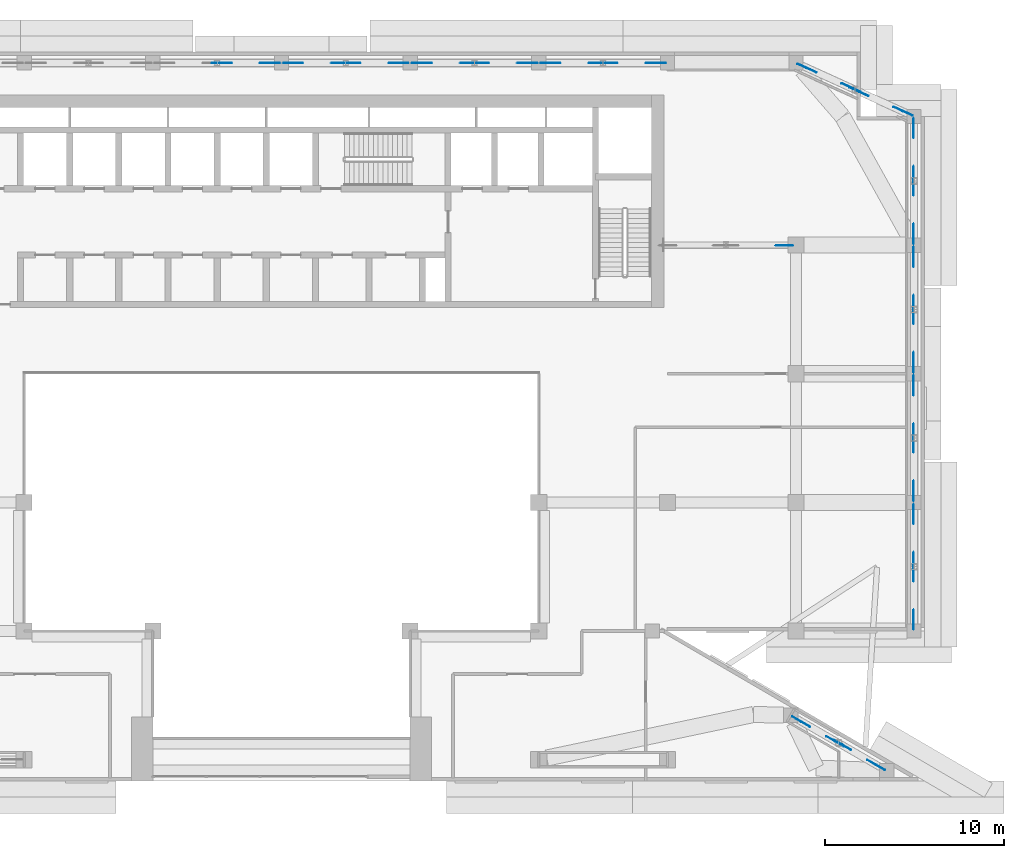
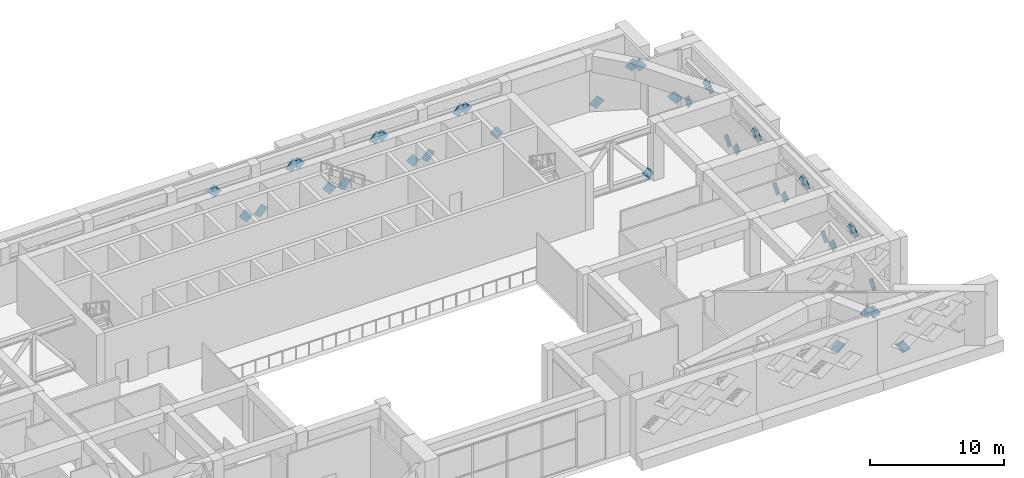
# One storey, part 12 of 20: 39 discrete accessories.
"""IFC4 building model written with IfcOpenShell, lengths in metres."""

import ifcopenshell
import ifcopenshell.guid

model = None  # the IFC model being written
_history = None  # IfcOwnerHistory: only IFC2X3 demands one
_inside = {}  # id of a spatial element -> (the spatial element, [elements in it])
_under = {}  # id of a project, library or spatial element -> (it, [spatial elements below it])
_declared = {}  # id of a project -> (the project, [libraries it declares])
_typed = {}  # id of a type object -> (the type object, [elements of that type])
_made_of = {}  # id of a material, layer set ... -> (it, [elements and type objects made of it])


def new_model(schema):
    """Start an empty IFC model of exactly this schema.

    Asked for "IFC4X3", IfcOpenShell would pick the latest addendum, in which some entities
    have other attributes; the version numbers below select the first issue.
    IFC2X3 requires an IfcOwnerHistory on every rooted entity: one is made here for all.
    """
    global model, _history
    if schema == "IFC4X3":
        model = ifcopenshell.file(schema_version=(4, 3, 0, 0))
    else:
        model = ifcopenshell.file(schema=schema)
    _inside.clear()
    _under.clear()
    _declared.clear()
    _typed.clear()
    _made_of.clear()
    _history = None
    if model.schema == "IFC2X3":
        org = make("IfcOrganization", Name="unknown")
        user = make(
            "IfcPersonAndOrganization",
            ThePerson=make("IfcPerson", FamilyName="unknown"),
            TheOrganization=org,
        )
        app = make(
            "IfcApplication",
            ApplicationDeveloper=org,
            Version="unknown",
            ApplicationFullName="unknown",
            ApplicationIdentifier="unknown",
        )
        _history = make(
            "IfcOwnerHistory",
            OwningUser=user,
            OwningApplication=app,
            ChangeAction="ADDED",
            CreationDate=0,
        )
    return model


def make(cls, **values):
    """One entity of the class cls with the attributes given. An attribute that is None is left unset."""
    return model.create_entity(
        cls, **{name: value for name, value in values.items() if value is not None}
    )


def rooted(cls, **values):
    """An entity with a GlobalId (a new one), such as an element, a storey or a relation."""
    return make(cls, GlobalId=ifcopenshell.guid.new(), OwnerHistory=_history, **values)


def si_unit(unit_type, name, prefix=None):
    """IfcSIUnit, for example si_unit("LENGTHUNIT", "METRE", prefix="MILLI")."""
    return make("IfcSIUnit", UnitType=unit_type, Prefix=prefix, Name=name)


def assignment(units):
    """IfcUnitAssignment: the units of a project."""
    return None if units is None else make("IfcUnitAssignment", Units=units)


def point(xyz):
    """IfcCartesianPoint."""
    return None if xyz is None else make("IfcCartesianPoint", Coordinates=xyz)


def direction(xyz):
    """IfcDirection."""
    return None if xyz is None else make("IfcDirection", DirectionRatios=xyz)


def frame(location, z_axis=None, x_axis=None):
    """IfcAxis2Placement3D, a coordinate frame: its origin and axes. An axis left out is left unset."""
    return make(
        "IfcAxis2Placement3D",
        Location=point(location),
        Axis=direction(z_axis),
        RefDirection=direction(x_axis),
    )


def origin():
    """The frame at (0, 0, 0) with its axes left unset."""
    return frame((0.0, 0.0, 0.0))


def place(relative_to, where):
    """IfcLocalPlacement: puts the frame where relative to a parent placement (None: the world)."""
    return make(
        "IfcLocalPlacement", PlacementRelTo=relative_to, RelativePlacement=where
    )


def context(
    kind, dimensions, precision=None, world=None, true_north=None, identifier=None
):
    """IfcGeometricRepresentationContext, for example the 3D "Model" context."""
    return make(
        "IfcGeometricRepresentationContext",
        ContextIdentifier=identifier,
        ContextType=kind,
        CoordinateSpaceDimension=dimensions,
        Precision=precision,
        WorldCoordinateSystem=world,
        TrueNorth=true_north,
    )


def subcontext(parent, identifier, kind, view, scale=None):
    """IfcGeometricRepresentationSubContext, for example "Body" below "Model"."""
    return make(
        "IfcGeometricRepresentationSubContext",
        ContextIdentifier=identifier,
        ContextType=kind,
        ParentContext=parent,
        TargetScale=scale,
        TargetView=view,
    )


def project(units=None, contexts=None):
    """IfcProject with its units and contexts."""
    return rooted(
        "IfcProject",
        Name="project",
        RepresentationContexts=contexts,
        UnitsInContext=assignment(units),
    )


def spatial(cls, under=None, at=None, **own):
    """A site, building, storey or space (cls), placed at a placement, below another one or the project."""
    s = rooted(cls, ObjectPlacement=at, **own)
    if under is not None:
        _under.setdefault(under.id(), (under, []))[1].append(s)
    return s


def polyline(points):
    """IfcPolyline through the points."""
    return make("IfcPolyline", Points=[point(p) for p in points])


def outline(outer, holes=None, kind="AREA"):
    """IfcArbitraryClosedProfileDef: a profile drawn as a closed curve; with holes, ...WithVoids."""
    if holes is None:
        return make("IfcArbitraryClosedProfileDef", ProfileType=kind, OuterCurve=outer)
    return make(
        "IfcArbitraryProfileDefWithVoids",
        ProfileType=kind,
        OuterCurve=outer,
        InnerCurves=holes,
    )


def extrude(swept, where, along, depth):
    """IfcExtrudedAreaSolid: the profile swept, set in the frame where, extruded along a direction by depth."""
    return make(
        "IfcExtrudedAreaSolid",
        SweptArea=swept,
        Position=where,
        ExtrudedDirection=direction(along),
        Depth=depth,
    )


def shape(context_of_items, identifier, shape_type, items):
    """IfcShapeRepresentation: the items that make up one representation, for example the "Body"."""
    return make(
        "IfcShapeRepresentation",
        ContextOfItems=context_of_items,
        RepresentationIdentifier=identifier,
        RepresentationType=shape_type,
        Items=items,
    )


def made_of(thing, what):
    """Note that an element or type object is made of a material, layer set ...; save() writes the relation."""
    if what is not None:
        _made_of.setdefault(what.id(), (what, []))[1].append(thing)
    return thing


def element(
    cls,
    number,
    at=None,
    inside=None,
    cuts=None,
    type_object=None,
    material=None,
    context=None,
    identifier="Body",
    shape_type=None,
    held_by="IfcProductDefinitionShape",
    body=None,
    shapes=None,
    **own,
):
    """One element of the class cls, such as IfcWall. Its Tag is "e" and its number.

    at: its placement. inside: the storey or other place that contains it. cuts: it is an
    opening in that element (IfcRelVoidsElement). A single representation is given by context,
    identifier, shape_type and body (its items); several are given by shapes. held_by: the class
    of the entity that holds the representations. save() writes the other relations.
    """
    e = rooted(cls, Tag="e%d" % number, ObjectPlacement=at, **own)
    if body is not None:
        shapes = [shape(context, identifier, shape_type, body)]
    if shapes is not None:
        e.Representation = make(held_by, Representations=shapes)
    if inside is not None:
        _inside.setdefault(inside.id(), (inside, []))[1].append(e)
    if cuts is not None:
        rooted(
            "IfcRelVoidsElement", RelatingBuildingElement=cuts, RelatedOpeningElement=e
        )
    if type_object is not None:
        _typed.setdefault(type_object.id(), (type_object, []))[1].append(e)
    return made_of(e, material)


def aggregate(whole, parts):
    """IfcRelAggregates: a whole, such as a stair, and the parts it consists of."""
    return rooted("IfcRelAggregates", RelatingObject=whole, RelatedObjects=parts)


def save(model, path):
    """Write the relations noted so far, then the file.

    IfcRelAggregates (storeys below a building ...), IfcRelContainedInSpatialStructure (elements
    in a storey), IfcRelDefinesByType, IfcRelAssociatesMaterial and IfcRelDeclares: one each for
    every whole, place, type object, material and project.
    """
    for whole, parts in _under.values():
        aggregate(whole, parts)
    for where, things in _inside.values():
        rooted(
            "IfcRelContainedInSpatialStructure",
            RelatedElements=things,
            RelatingStructure=where,
        )
    for kind, things in _typed.values():
        rooted("IfcRelDefinesByType", RelatedObjects=things, RelatingType=kind)
    for what, things in _made_of.values():
        rooted("IfcRelAssociatesMaterial", RelatedObjects=things, RelatingMaterial=what)
    for by, libraries in _declared.values():
        rooted("IfcRelDeclares", RelatingContext=by, RelatedDefinitions=libraries)
    model.write(path)


model = new_model("IFC4")

# Units and contexts
model_context = context("Model", 3, precision=1e-05, world=origin(), true_north=direction((0.0, 1.0)))
body_context = subcontext(model_context, "Body", "Model", "MODEL_VIEW")
ifc_project = project(units=[si_unit("LENGTHUNIT", "METRE"), si_unit("AREAUNIT", "SQUARE_METRE"), si_unit("VOLUMEUNIT", "CUBIC_METRE"), si_unit("PLANEANGLEUNIT", "RADIAN"), si_unit("MASSUNIT", "GRAM", prefix="KILO")], contexts=[model_context])

# Site, building, storey
site_placement = place(None, origin())
site = spatial("IfcSite", under=ifc_project, at=site_placement, CompositionType="ELEMENT")
building_placement = place(site_placement, origin())
building = spatial("IfcBuilding", under=site, at=building_placement, Name="Saffron Iwan Residences", CompositionType="ELEMENT")
storey_placement = place(building_placement, frame((0.0, 0.0, 206.0)))
storey = spatial("IfcBuildingStorey", under=building, at=storey_placement, Name="L55", CompositionType="ELEMENT", Elevation=206.0)

# Discrete accessories
discrete_accessory_1_placement = place(storey_placement, frame((47.013427734375, 79.800048828125, 4.36328125), z_axis=(0.0, 1.0, 0.0), x_axis=(0.644527288822, 0.0, -0.764581306313)))
element("IfcDiscreteAccessory", 1, at=discrete_accessory_1_placement, inside=storey, Name="Gusset plate L55", PredefinedType="BRACKET", context=body_context, shape_type="SweptSolid", body=[
    extrude(outline(polyline([(0.0, 0.0), (0.9598543839484248, 5.551115123125783e-17), (0.9598690389798568, 0.7200627982878732), (-0.0001720103265546169, 0.7199054429927506), (0.0, 0.0)])), origin(), (0.0, 0.0, -1.0), 0.030029296875),
])
discrete_accessory_2_placement = place(storey_placement, frame((49.78662109375, 79.800048828125, -0.04345703125), z_axis=(0.0, 1.0, 0.0), x_axis=(-0.644401961653, 0.0, 0.764686937131)))
element("IfcDiscreteAccessory", 2, at=discrete_accessory_2_placement, inside=storey, Name="Gusset plate L55", PredefinedType="BRACKET", context=body_context, shape_type="SweptSolid", body=[
    extrude(outline(polyline([(0.0, 0.0), (0.960041062202052, -5.551115123125783e-17), (0.9599870478030891, 0.7199054615160142), (0.00013267674779748884, 0.7200627862136835), (0.0, 0.0)])), origin(), (0.0, 0.0, -1.0), 0.030029296875),
])
discrete_accessory_3_placement = place(storey_placement, frame((50.462890625, 79.800048828125, 0.420654296875), z_axis=(0.0, 1.0, 0.0), x_axis=(0.644527288822, 0.0, 0.764581306313)))
element("IfcDiscreteAccessory", 3, at=discrete_accessory_3_placement, inside=storey, Name="Gusset plate L55", PredefinedType="BRACKET", context=body_context, shape_type="SweptSolid", body=[
    extrude(outline(polyline([(0.0, 0.0), (0.9598543839484248, -5.551115123125783e-17), (0.9600263942749794, 0.7199054429927506), (-1.4655031432053711e-05, 0.7200627982878731), (0.0, 0.0)])), origin(), (0.0, 0.0, -1.0), 0.030029296875),
])
discrete_accessory_4_placement = place(storey_placement, frame((54.337158203125, 79.800048828125, 3.8994140625), z_axis=(0.0, 1.0, 0.0), x_axis=(-0.644401961653, 0.0, -0.764686937131)))
element("IfcDiscreteAccessory", 4, at=discrete_accessory_4_placement, inside=storey, Name="Gusset plate L55", PredefinedType="BRACKET", context=body_context, shape_type="SweptSolid", body=[
    extrude(outline(polyline([(0.0, 0.0), (0.960041062202052, 5.551115123125783e-17), (0.9599083854542545, 0.7200627862136834), (5.401439896290938e-05, 0.7199054615160143), (0.0, 0.0)])), origin(), (0.0, 0.0, -1.0), 0.030029296875),
])
discrete_accessory_5_placement = place(storey_placement, frame((54.21337890625, 79.800048828125, 4.36328125), z_axis=(0.0, 1.0, 0.0), x_axis=(0.644527288822, 0.0, -0.764581306313)))
element("IfcDiscreteAccessory", 5, at=discrete_accessory_5_placement, inside=storey, Name="Gusset plate L55", PredefinedType="BRACKET", context=body_context, shape_type="SweptSolid", body=[
    extrude(outline(polyline([(0.0, 0.0), (0.9598543839484248, 5.551115123125783e-17), (0.9598690389798568, 0.7200627982878732), (-0.0001720103265546169, 0.7199054429927506), (0.0, 0.0)])), origin(), (0.0, 0.0, -1.0), 0.030029296875),
])
discrete_accessory_6_placement = place(storey_placement, frame((56.986572265625, 79.800048828125, -0.04345703125), z_axis=(0.0, 1.0, 0.0), x_axis=(-0.644401961653, 0.0, 0.764686937131)))
element("IfcDiscreteAccessory", 6, at=discrete_accessory_6_placement, inside=storey, Name="Gusset plate L55", PredefinedType="BRACKET", context=body_context, shape_type="SweptSolid", body=[
    extrude(outline(polyline([(0.0, 0.0), (0.960041062202052, -5.551115123125783e-17), (0.9599870478030891, 0.7199054615160142), (0.00013267674779748884, 0.7200627862136835), (0.0, 0.0)])), origin(), (0.0, 0.0, -1.0), 0.030029296875),
])
discrete_accessory_7_placement = place(storey_placement, frame((57.662841796875, 79.800048828125, 0.420654296875), z_axis=(0.0, 1.0, 0.0), x_axis=(0.644527288822, 0.0, 0.764581306313)))
element("IfcDiscreteAccessory", 7, at=discrete_accessory_7_placement, inside=storey, Name="Gusset plate L55", PredefinedType="BRACKET", context=body_context, shape_type="SweptSolid", body=[
    extrude(outline(polyline([(0.0, 0.0), (0.9598543839484248, -5.551115123125783e-17), (0.9600263942749794, 0.7199054429927506), (-1.4655031432053711e-05, 0.7200627982878731), (0.0, 0.0)])), origin(), (0.0, 0.0, -1.0), 0.030029296875),
])
discrete_accessory_8_placement = place(storey_placement, frame((61.537109375, 79.800048828125, 3.8994140625), z_axis=(0.0, 1.0, 0.0), x_axis=(-0.644401961653, 0.0, -0.764686937131)))
element("IfcDiscreteAccessory", 8, at=discrete_accessory_8_placement, inside=storey, Name="Gusset plate L55", PredefinedType="BRACKET", context=body_context, shape_type="SweptSolid", body=[
    extrude(outline(polyline([(0.0, 0.0), (0.960041062202052, 5.551115123125783e-17), (0.9599083854542545, 0.7200627862136834), (5.401439896290938e-05, 0.7199054615160143), (0.0, 0.0)])), origin(), (0.0, 0.0, -1.0), 0.030029296875),
])
discrete_accessory_9_placement = place(storey_placement, frame((61.413330078125, 79.800048828125, 4.36328125), z_axis=(0.0, 1.0, 0.0), x_axis=(0.644527288822, 0.0, -0.764581306313)))
element("IfcDiscreteAccessory", 9, at=discrete_accessory_9_placement, inside=storey, Name="Gusset plate L55", PredefinedType="BRACKET", context=body_context, shape_type="SweptSolid", body=[
    extrude(outline(polyline([(0.0, 0.0), (0.9598543839484248, 5.551115123125783e-17), (0.9600263942749793, 0.7198761329298865), (-0.0001720103265546169, 0.7199054429927506), (0.0, 0.0)])), origin(), (0.0, 0.0, -1.0), 0.030029296875),
])
discrete_accessory_10_placement = place(storey_placement, frame((64.1865234375, 79.800048828125, -0.04345703125), z_axis=(0.0, 1.0, 0.0), x_axis=(-0.644401961653, 0.0, 0.764686937131)))
element("IfcDiscreteAccessory", 10, at=discrete_accessory_10_placement, inside=storey, Name="Gusset plate L55", PredefinedType="BRACKET", context=body_context, shape_type="SweptSolid", body=[
    extrude(outline(polyline([(0.0, 0.0), (0.960041062202052, -5.551115123125783e-17), (0.9599870478030891, 0.7199054615160142), (0.00013267674779748884, 0.7200627862136835), (0.0, 0.0)])), origin(), (0.0, 0.0, -1.0), 0.030029296875),
])
discrete_accessory_11_placement = place(storey_placement, frame((64.86279296875, 79.800048828125, 0.420654296875), z_axis=(0.0, 1.0, 0.0), x_axis=(0.644675942362, 0.0, 0.764455969523)))
element("IfcDiscreteAccessory", 11, at=discrete_accessory_11_placement, inside=storey, Name="Gusset plate L55", PredefinedType="BRACKET", context=body_context, shape_type="SweptSolid", body=[
    extrude(outline(polyline([(0.0, 0.0), (0.9600117573912188, 0.0), (0.9601663550452038, 0.7197187611799585), (0.00012535448329148435, 0.7200627875256336), (0.0, 0.0)])), origin(), (0.0, 0.0, -1.0), 0.030029296875),
])
discrete_accessory_12_placement = place(storey_placement, frame((68.737060546875, 79.800048828125, 3.8994140625), z_axis=(0.0, 1.0, 0.0), x_axis=(-0.644401961653, 0.0, -0.764686937131)))
element("IfcDiscreteAccessory", 12, at=discrete_accessory_12_placement, inside=storey, Name="Gusset plate L55", PredefinedType="BRACKET", context=body_context, shape_type="SweptSolid", body=[
    extrude(outline(polyline([(0.0, 0.0), (0.960041062202052, 5.551115123125783e-17), (0.9599083854542545, 0.7200627862136834), (5.401439896290938e-05, 0.7199054615160143), (0.0, 0.0)])), origin(), (0.0, 0.0, -1.0), 0.030029296875),
])
discrete_accessory_13_placement = place(storey_placement, frame((68.61328125, 79.800048828125, 4.36328125), z_axis=(0.0, 1.0, 0.0), x_axis=(0.644675942362, 0.0, -0.764455969523)))
element("IfcDiscreteAccessory", 13, at=discrete_accessory_13_placement, inside=storey, Name="Gusset plate L55", PredefinedType="BRACKET", context=body_context, shape_type="SweptSolid", body=[
    extrude(outline(polyline([(0.0, 0.0), (0.9600117573912188, 0.0), (0.9598864029079274, 0.7200627875256335), (-0.00015459765398501135, 0.7197187611799585), (0.0, 0.0)])), origin(), (0.0, 0.0, -1.0), 0.030029296875),
])
discrete_accessory_14_placement = place(storey_placement, frame((71.38671875, 79.800048828125, -0.04345703125), z_axis=(0.0, 1.0, 0.0), x_axis=(-0.644550627371, 0.0, 0.764561631757)))
element("IfcDiscreteAccessory", 14, at=discrete_accessory_14_placement, inside=storey, Name="Gusset plate L55", PredefinedType="BRACKET", context=body_context, shape_type="SweptSolid", body=[
    extrude(outline(polyline([(0.0, 0.0), (0.9601984050488788, 0.0), (0.960004419603846, 0.7199054374067388), (0.00015003610260611033, 0.7198761378451211), (0.0, 0.0)])), origin(), (0.0, 0.0, -1.0), 0.030029296875),
])
discrete_accessory_15_placement = place(storey_placement, frame((79.292724609375, 79.7578125, 0.419921875), z_axis=(0.413639882839, 0.9104405783, 2.664482e-05), x_axis=(0.585241779026, -0.265914939483, 0.766016517474)))
element("IfcDiscreteAccessory", 15, at=discrete_accessory_15_placement, inside=storey, Name="Gusset plate L55", PredefinedType="BRACKET", context=body_context, shape_type="SweptSolid", body=[
    extrude(outline(polyline([(0.0, 0.0), (0.9599682887861909, 0.0), (0.959929122722385, 0.7200460262554155), (2.5754575716296912e-05, 0.7201233796218409), (0.0, 0.0)])), origin(), (0.0, 0.0, -1.0), 0.030029296875),
])
discrete_accessory_16_placement = place(storey_placement, frame((82.80712890625, 78.160400390625, 3.900146484375), z_axis=(-0.413737712905, -0.910396123061, 6.352282e-05), x_axis=(-0.585241788012, 0.265914949776, -0.766016507035)))
element("IfcDiscreteAccessory", 16, at=discrete_accessory_16_placement, inside=storey, Name="Gusset plate L55", PredefinedType="BRACKET", context=body_context, shape_type="SweptSolid", body=[
    extrude(outline(polyline([(0.0, 0.0), (0.9599682887868193, -5.551115123125783e-17), (0.9597862531194687, -0.7198757492932069), (-0.00011711502531536189, -0.7199531338376104), (0.0, 0.0)])), origin(), (0.0, 0.0, -1.0), 0.030029296875),
])
discrete_accessory_17_placement = place(storey_placement, frame((82.69482421875, 78.21142578125, 4.363037109375), z_axis=(0.413913114922, 0.910316388849, 7.4081906e-05), x_axis=(0.585193887051, -0.266020341528, -0.766016509255)))
element("IfcDiscreteAccessory", 17, at=discrete_accessory_17_placement, inside=storey, Name="Gusset plate L55", PredefinedType="BRACKET", context=body_context, shape_type="SweptSolid", body=[
    extrude(outline(polyline([(0.0, 0.0), (0.9599682952195299, 0.0), (0.960085397378639, 0.7199531424169259), (0.0001171021591089283, 0.719953142416926), (0.0, 0.0)])), origin(), (0.0, 0.0, -1.0), 0.030029296875),
])
discrete_accessory_18_placement = place(storey_placement, frame((85.205078125, 77.0703125, -0.04296875), z_axis=(-0.413815260912, -0.91036087876, 1.6123447e-05), x_axis=(-0.585193887051, 0.266020341528, 0.766016509255)))
element("IfcDiscreteAccessory", 18, at=discrete_accessory_18_placement, inside=storey, Name="Gusset plate L55", PredefinedType="BRACKET", context=body_context, shape_type="SweptSolid", body=[
    extrude(outline(polyline([(0.0, 0.0), (0.9599682952195299, 0.0), (0.9599425277773082, -0.7201233881974132), (-2.5767442221824588e-05, -0.7201233881974131), (0.0, 0.0)])), origin(), (0.0, 0.0, -1.0), 0.030029296875),
])
discrete_accessory_19_placement = place(storey_placement, frame((85.800048828125, 76.737060546875, 0.420654296875), z_axis=(1.0, 0.0, 0.0), x_axis=(0.0, -0.644527288822, 0.764581306313)))
element("IfcDiscreteAccessory", 19, at=discrete_accessory_19_placement, inside=storey, Name="Gusset plate L55", PredefinedType="BRACKET", context=body_context, shape_type="SweptSolid", body=[
    extrude(outline(polyline([(0.0, 0.0), (0.9598543839484248, -5.551115123125783e-17), (0.9600263942749794, 0.7199054429927506), (-1.4655031432053711e-05, 0.7200627982878731), (0.0, 0.0)])), origin(), (0.0, 0.0, -1.0), 0.030029296875),
])
discrete_accessory_20_placement = place(storey_placement, frame((85.800048828125, 72.86279296875, 3.8994140625), z_axis=(1.0, 0.0, 0.0), x_axis=(0.0, 0.644550627371, -0.764561631757)))
element("IfcDiscreteAccessory", 20, at=discrete_accessory_20_placement, inside=storey, Name="Gusset plate L55", PredefinedType="BRACKET", context=body_context, shape_type="SweptSolid", body=[
    extrude(outline(polyline([(0.0, 0.0), (0.9601984050488788, 0.0), (0.9600483689462727, 0.7198761378451211), (0.000193985445032685, 0.7199054374067388), (0.0, 0.0)])), origin(), (0.0, 0.0, -1.0), 0.030029296875),
])
discrete_accessory_21_placement = place(storey_placement, frame((85.800048828125, 72.986572265625, 4.36328125), z_axis=(1.0, 0.0, 0.0), x_axis=(0.0, -0.644527288822, -0.764581306313)))
element("IfcDiscreteAccessory", 21, at=discrete_accessory_21_placement, inside=storey, Name="Gusset plate L55", PredefinedType="BRACKET", context=body_context, shape_type="SweptSolid", body=[
    extrude(outline(polyline([(0.0, 0.0), (0.9598543839484248, 5.551115123125783e-17), (0.9598690389798568, 0.7200627982878732), (-0.0001720103265546169, 0.7199054429927506), (0.0, 0.0)])), origin(), (0.0, 0.0, -1.0), 0.030029296875),
])
discrete_accessory_22_placement = place(storey_placement, frame((85.800048828125, 70.21337890625, -0.04345703125), z_axis=(1.0, 0.0, 0.0), x_axis=(0.0, 0.644401961653, 0.764686937131)))
element("IfcDiscreteAccessory", 22, at=discrete_accessory_22_placement, inside=storey, Name="Gusset plate L55", PredefinedType="BRACKET", context=body_context, shape_type="SweptSolid", body=[
    extrude(outline(polyline([(0.0, 0.0), (0.960041062202052, -5.551115123125783e-17), (0.9599870478030891, 0.7199054615160142), (0.00013267674779748884, 0.7200627862136835), (0.0, 0.0)])), origin(), (0.0, 0.0, -1.0), 0.030029296875),
])
discrete_accessory_23_placement = place(storey_placement, frame((85.800048828125, 69.537109375, 0.420654296875), z_axis=(1.0, 0.0, 0.0), x_axis=(0.0, -0.644527288822, 0.764581306313)))
element("IfcDiscreteAccessory", 23, at=discrete_accessory_23_placement, inside=storey, Name="Gusset plate L55", PredefinedType="BRACKET", context=body_context, shape_type="SweptSolid", body=[
    extrude(outline(polyline([(0.0, 0.0), (0.9598543839484248, -5.551115123125783e-17), (0.9600263942749794, 0.7199054429927506), (-1.4655031432053711e-05, 0.7200627982878731), (0.0, 0.0)])), origin(), (0.0, 0.0, -1.0), 0.030029296875),
])
discrete_accessory_24_placement = place(storey_placement, frame((85.800048828125, 65.662841796875, 3.8994140625), z_axis=(1.0, 0.0, 0.0), x_axis=(0.0, 0.644401961653, -0.764686937131)))
element("IfcDiscreteAccessory", 24, at=discrete_accessory_24_placement, inside=storey, Name="Gusset plate L55", PredefinedType="BRACKET", context=body_context, shape_type="SweptSolid", body=[
    extrude(outline(polyline([(0.0, 0.0), (0.960041062202052, 5.551115123125783e-17), (0.9599083854542545, 0.7200627862136834), (5.401439896290938e-05, 0.7199054615160143), (0.0, 0.0)])), origin(), (0.0, 0.0, -1.0), 0.030029296875),
])
discrete_accessory_25_placement = place(storey_placement, frame((85.800048828125, 65.78662109375, 4.36328125), z_axis=(1.0, 0.0, 0.0), x_axis=(0.0, -0.644527288822, -0.764581306313)))
element("IfcDiscreteAccessory", 25, at=discrete_accessory_25_placement, inside=storey, Name="Gusset plate L55", PredefinedType="BRACKET", context=body_context, shape_type="SweptSolid", body=[
    extrude(outline(polyline([(0.0, 0.0), (0.9598543839484248, 5.551115123125783e-17), (0.9598690389798568, 0.7200627982878732), (-0.0001720103265546169, 0.7199054429927506), (0.0, 0.0)])), origin(), (0.0, 0.0, -1.0), 0.030029296875),
])
discrete_accessory_26_placement = place(storey_placement, frame((85.800048828125, 63.013427734375, -0.04345703125), z_axis=(1.0, 0.0, 0.0), x_axis=(0.0, 0.644401961653, 0.764686937131)))
element("IfcDiscreteAccessory", 26, at=discrete_accessory_26_placement, inside=storey, Name="Gusset plate L55", PredefinedType="BRACKET", context=body_context, shape_type="SweptSolid", body=[
    extrude(outline(polyline([(0.0, 0.0), (0.960041062202052, -5.551115123125783e-17), (0.9599870478030891, 0.7199054615160142), (0.00013267674779748884, 0.7200627862136835), (0.0, 0.0)])), origin(), (0.0, 0.0, -1.0), 0.030029296875),
])
discrete_accessory_27_placement = place(storey_placement, frame((85.800048828125, 62.337158203125, 0.420654296875), z_axis=(1.0, 0.0, 0.0), x_axis=(0.0, -0.644527288822, 0.764581306313)))
element("IfcDiscreteAccessory", 27, at=discrete_accessory_27_placement, inside=storey, Name="Gusset plate L55", PredefinedType="BRACKET", context=body_context, shape_type="SweptSolid", body=[
    extrude(outline(polyline([(0.0, 0.0), (0.9598543839484248, -5.551115123125783e-17), (0.9600263942749794, 0.7199054429927506), (-1.4655031432053711e-05, 0.7200627982878731), (0.0, 0.0)])), origin(), (0.0, 0.0, -1.0), 0.030029296875),
])
discrete_accessory_28_placement = place(storey_placement, frame((85.800048828125, 58.462890625, 3.8994140625), z_axis=(1.0, 0.0, 0.0), x_axis=(0.0, 0.644401961653, -0.764686937131)))
element("IfcDiscreteAccessory", 28, at=discrete_accessory_28_placement, inside=storey, Name="Gusset plate L55", PredefinedType="BRACKET", context=body_context, shape_type="SweptSolid", body=[
    extrude(outline(polyline([(0.0, 0.0), (0.960041062202052, 5.551115123125783e-17), (0.9599083854542545, 0.7200627862136834), (5.401439896290938e-05, 0.7199054615160143), (0.0, 0.0)])), origin(), (0.0, 0.0, -1.0), 0.030029296875),
])
discrete_accessory_29_placement = place(storey_placement, frame((85.800048828125, 58.586669921875, 4.36328125), z_axis=(1.0, 0.0, 0.0), x_axis=(0.0, -0.644527288822, -0.764581306313)))
element("IfcDiscreteAccessory", 29, at=discrete_accessory_29_placement, inside=storey, Name="Gusset plate L55", PredefinedType="BRACKET", context=body_context, shape_type="SweptSolid", body=[
    extrude(outline(polyline([(0.0, 0.0), (0.9598543839484248, 5.551115123125783e-17), (0.9600263942749793, 0.7198761329298865), (-0.0001720103265546169, 0.7199054429927506), (0.0, 0.0)])), origin(), (0.0, 0.0, -1.0), 0.030029296875),
])
discrete_accessory_30_placement = place(storey_placement, frame((85.800048828125, 55.8134765625, -0.04345703125), z_axis=(1.0, 0.0, 0.0), x_axis=(0.0, 0.644401961653, 0.764686937131)))
element("IfcDiscreteAccessory", 30, at=discrete_accessory_30_placement, inside=storey, Name="Gusset plate L55", PredefinedType="BRACKET", context=body_context, shape_type="SweptSolid", body=[
    extrude(outline(polyline([(0.0, 0.0), (0.960041062202052, -5.551115123125783e-17), (0.9599870478030891, 0.7199054615160142), (0.00013267674779748884, 0.7200627862136835), (0.0, 0.0)])), origin(), (0.0, 0.0, -1.0), 0.030029296875),
])
discrete_accessory_31_placement = place(storey_placement, frame((85.800048828125, 55.13720703125, 0.420654296875), z_axis=(1.0, 0.0, 0.0), x_axis=(0.0, -0.644675942362, 0.764455969523)))
element("IfcDiscreteAccessory", 31, at=discrete_accessory_31_placement, inside=storey, Name="Gusset plate L55", PredefinedType="BRACKET", context=body_context, shape_type="SweptSolid", body=[
    extrude(outline(polyline([(0.0, 0.0), (0.9600117573912188, 0.0), (0.9601663550452038, 0.7197187611799585), (0.00012535448329148435, 0.7200627875256336), (0.0, 0.0)])), origin(), (0.0, 0.0, -1.0), 0.030029296875),
])
discrete_accessory_32_placement = place(storey_placement, frame((85.800048828125, 51.262939453125, 3.8994140625), z_axis=(1.0, 0.0, 0.0), x_axis=(0.0, 0.644401961653, -0.764686937131)))
element("IfcDiscreteAccessory", 32, at=discrete_accessory_32_placement, inside=storey, Name="Gusset plate L55", PredefinedType="BRACKET", context=body_context, shape_type="SweptSolid", body=[
    extrude(outline(polyline([(0.0, 0.0), (0.960041062202052, 5.551115123125783e-17), (0.9599083854542545, 0.7200627862136834), (5.401439896290938e-05, 0.7199054615160143), (0.0, 0.0)])), origin(), (0.0, 0.0, -1.0), 0.030029296875),
])
discrete_accessory_33_placement = place(storey_placement, frame((85.800048828125, 51.38671875, 4.36328125), z_axis=(1.0, 0.0, 0.0), x_axis=(0.0, -0.644675942362, -0.764455969523)))
element("IfcDiscreteAccessory", 33, at=discrete_accessory_33_placement, inside=storey, Name="Gusset plate L55", PredefinedType="BRACKET", context=body_context, shape_type="SweptSolid", body=[
    extrude(outline(polyline([(0.0, 0.0), (0.9600117573912188, 0.0), (0.9598864029079274, 0.7200627875256335), (-0.00015459765398501135, 0.7197187611799585), (0.0, 0.0)])), origin(), (0.0, 0.0, -1.0), 0.030029296875),
])
discrete_accessory_34_placement = place(storey_placement, frame((85.800048828125, 48.61328125, -0.04345703125), z_axis=(1.0, 0.0, 0.0), x_axis=(0.0, 0.644550627371, 0.764561631757)))
element("IfcDiscreteAccessory", 34, at=discrete_accessory_34_placement, inside=storey, Name="Gusset plate L55", PredefinedType="BRACKET", context=body_context, shape_type="SweptSolid", body=[
    extrude(outline(polyline([(0.0, 0.0), (0.9601984050488788, 0.0), (0.960004419603846, 0.7199054374067388), (0.00015003610260611033, 0.7198761378451211), (0.0, 0.0)])), origin(), (0.0, 0.0, -1.0), 0.030029296875),
])
discrete_accessory_35_placement = place(storey_placement, frame((78.994384765625, 43.225830078125, 0.388916015625), z_axis=(0.50018440861, 0.865918901774, 0.000113728774), x_axis=(0.494807293273, -0.285925414758, 0.82061708471)))
element("IfcDiscreteAccessory", 35, at=discrete_accessory_35_placement, inside=storey, Name="Gusset plate L55", PredefinedType="BRACKET", context=body_context, shape_type="SweptSolid", body=[
    extrude(outline(polyline([(0.0, 0.0), (0.9600601785300589, 0.0), (0.9600141236354234, 0.7202079240643279), (8.448506384883814e-05, 0.7199682067743248), (0.0, 0.0)])), origin(), (0.0, 0.0, -1.0), 0.030029296875),
])
discrete_accessory_36_placement = place(storey_placement, frame((81.890380859375, 41.552734375, 3.930908203125), z_axis=(0.50018440861, 0.865918901774, 0.000113728774), x_axis=(-0.494910580766, 0.28598506624, -0.820534008395)))
element("IfcDiscreteAccessory", 36, at=discrete_accessory_36_placement, inside=storey, Name="Gusset plate L55", PredefinedType="BRACKET", context=body_context, shape_type="SweptSolid", body=[
    extrude(outline(polyline([(0.0, 0.0), (0.9598598427022056, 0.0), (0.9601187998205711, 0.720068372931102), (-1.1189140090350769e-05, 0.7201077371072844), (0.0, 0.0)])), origin(), (0.0, 0.0, -1.0), 0.030029296875),
])
discrete_accessory_37_placement = place(storey_placement, frame((81.79541015625, 41.607666015625, 4.342529296875), z_axis=(-0.50018440861, -0.865918901774, 0.000113728774), x_axis=(0.494881448718, -0.285968241649, -0.820557442525)))
element("IfcDiscreteAccessory", 37, at=discrete_accessory_37_placement, inside=storey, Name="Gusset plate L55", PredefinedType="BRACKET", context=body_context, shape_type="SweptSolid", body=[
    extrude(outline(polyline([(0.0, 0.0), (0.9601299897676032, 5.551115123125783e-17), (0.9599005545877319, -0.7200683829428508), (4.071269224137364e-05, -0.720107736043328), (0.0, 0.0)])), origin(), (0.0, 0.0, -1.0), 0.030029296875),
])
discrete_accessory_38_placement = place(storey_placement, frame((83.66796875, 40.525634765625, -0.0224609375), z_axis=(0.500354739251, 0.865820483767, 0.000157476779), x_axis=(-0.494965642498, 0.285889736472, 0.820534015947)))
element("IfcDiscreteAccessory", 38, at=discrete_accessory_38_placement, inside=storey, Name="Gusset plate L55", PredefinedType="BRACKET", context=body_context, shape_type="SweptSolid", body=[
    extrude(outline(polyline([(0.0, 0.0), (0.9598598485208608, 0.0), (0.9599220699526223, 0.7200344854549668), (-0.0001381042557255796, 0.7198949352409574), (0.0, 0.0)])), origin(), (0.0, 0.0, -1.0), 0.030029296875),
])
discrete_accessory_39_placement = place(storey_placement, frame((78.560791015625, 69.60009765625, 0.04443359375), z_axis=(0.0, 1.0, 0.0), x_axis=(-0.637407091071, 0.0, 0.770527222266)))
element("IfcDiscreteAccessory", 39, at=discrete_accessory_39_placement, inside=storey, Name="Gusset plate L55", PredefinedType="BRACKET", context=body_context, shape_type="SweptSolid", body=[
    extrude(outline(polyline([(0.0, 0.0), (0.8399661662463183, 0.0), (0.8400520997371226, 0.6299664996767312), (8.593349080421309e-05, 0.6299664996767312), (0.0, 0.0)])), origin(), (0.0, 0.0, -1.0), 0.030029296875),
])

save(model, "model.ifc")
